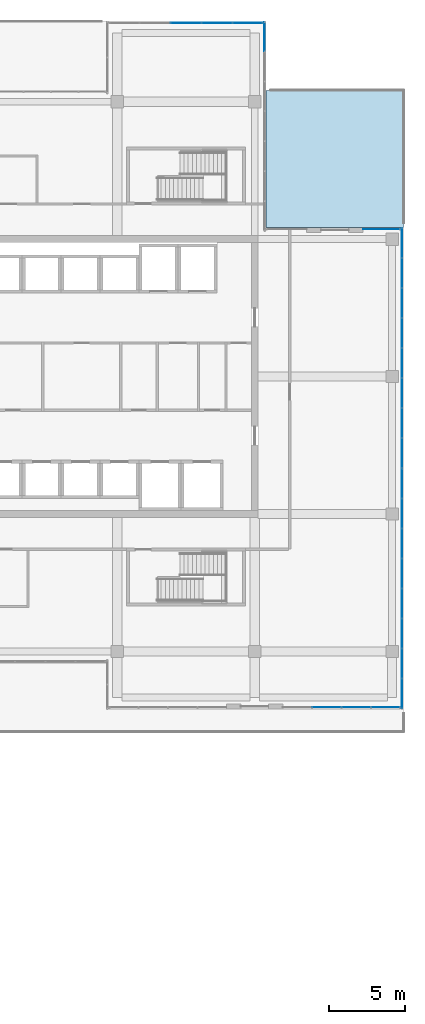
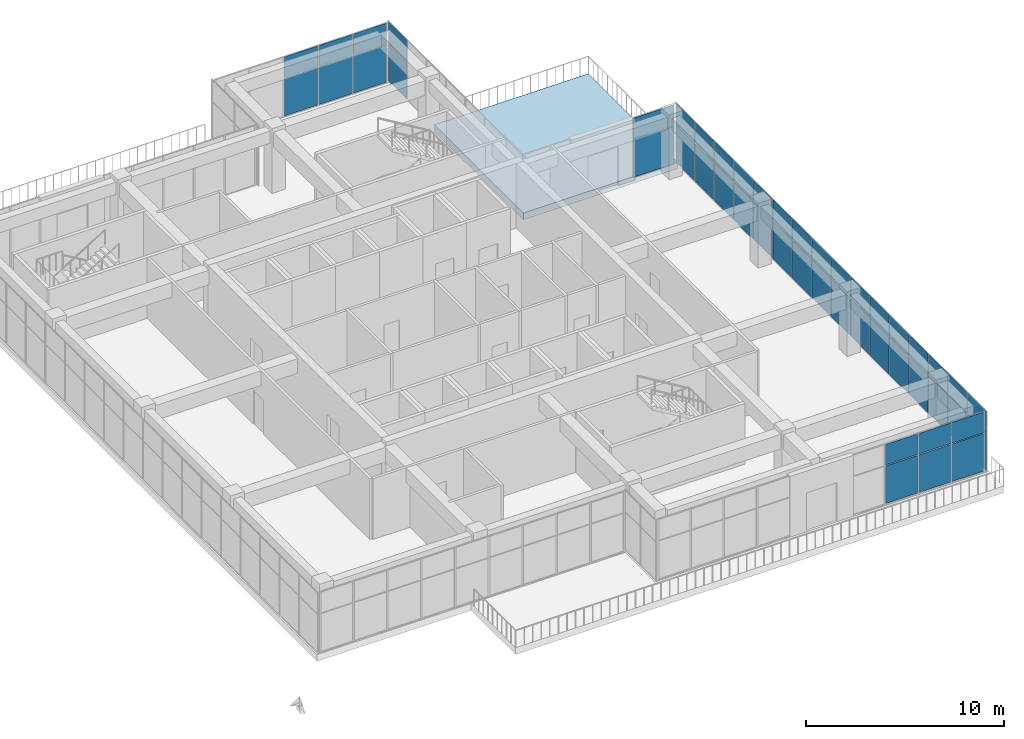
# One storey, part 65 of 81: 48 plates, 1 slab, 5 elements without a shape of their own.
"""IFC4 building model written with IfcOpenShell, lengths in metres."""

from ifc_helpers import new_model, si_unit, direction, frame, origin, origin_2d, place, context, subcontext, project, spatial, polyline, rectangle, outline, extrude, material, layer, layer_set, type_object, element, aggregate, save


model = new_model("IFC4")

# Units and contexts
model_context = context("Model", 3, precision=1e-05, world=origin(), true_north=direction((0.0, 1.0)))
body_context = subcontext(model_context, "Body", "Model", "MODEL_VIEW")
ifc_project = project(units=[si_unit("LENGTHUNIT", "METRE"), si_unit("AREAUNIT", "SQUARE_METRE"), si_unit("VOLUMEUNIT", "CUBIC_METRE"), si_unit("PLANEANGLEUNIT", "RADIAN"), si_unit("MASSUNIT", "GRAM", prefix="KILO")], contexts=[model_context])

# Site, building, storey
site_placement = place(None, origin())
site = spatial("IfcSite", under=ifc_project, at=site_placement, CompositionType="ELEMENT")
building_placement = place(site_placement, origin())
building = spatial("IfcBuilding", under=site, at=building_placement, Name="Tuart Plaza Theatre", CompositionType="ELEMENT")
storey_placement = place(building_placement, frame((0.0, 0.0, 17.5)))
storey = spatial("IfcBuildingStorey", under=building, at=storey_placement, Name="L04", CompositionType="ELEMENT", Elevation=17.5)

# Curtain wall, plates
ifc_material_1 = material(Name="Aluminium and glass", Category="aluminium")
ifc_layer_1 = layer(ifc_material_1, 0.10009765625)
ifc_layer_set_1 = layer_set([ifc_layer_1], Name="CURTAIN WALL 2000 module")
curtain_wall_type = type_object("IfcCurtainWallType", Name="CURTAIN WALL 2000 module", PredefinedType="NOTDEFINED", material=ifc_layer_set_1)
curtain_wall_1_placement = place(storey_placement, origin())
curtain_wall_1 = element("IfcCurtainWall", 1, at=curtain_wall_1_placement, inside=storey, type_object=curtain_wall_type, Name="CW77", PredefinedType="NOTDEFINED")
ifc_material_2 = material(Name="Glass", Category="glass")
ifc_layer_2 = layer(ifc_material_2, 0.028076171875)
ifc_layer_set_2 = layer_set([ifc_layer_2], Name="CURTAIN PANEL double glazed 28")
plate_type = type_object("IfcPlateType", Name="CURTAIN PANEL double glazed 28", PredefinedType="CURTAIN_PANEL", material=ifc_layer_set_2)
plate_1_placement = place(storey_placement, frame((145.706298828125, 52.35009765625, 0.0498046875), z_axis=(0.0, 0.0, 1.0), x_axis=(1.0, 0.0, 0.0)))
plate_1 = element("IfcPlate", 2, at=plate_1_placement, type_object=plate_type, Name="CW77 panel 2.1", PredefinedType="CURTAIN_PANEL", context=body_context, shape_type="SweptSolid", body=[
    extrude(rectangle(XDim=1.887451171875, YDim=0.028076171875, at=origin_2d()), origin(), (0.0, 0.0, 1.0), 2.324951171875),
])
plate_2_placement = place(storey_placement, frame((145.706298828125, 52.35009765625, 2.425048828125), z_axis=(0.0, 0.0, 1.0), x_axis=(1.0, 0.0, 0.0)))
plate_2 = element("IfcPlate", 3, at=plate_2_placement, type_object=plate_type, Name="CW77 panel 2.2", PredefinedType="CURTAIN_PANEL", context=body_context, shape_type="SweptSolid", body=[
    extrude(rectangle(XDim=1.887451171875, YDim=0.028076171875, at=origin_2d()), origin(), (0.0, 0.0, 1.0), 1.27490234375),
])
plate_3_placement = place(storey_placement, frame((147.643798828125, 52.35009765625, 0.0498046875), z_axis=(0.0, 0.0, 1.0), x_axis=(1.0, 0.0, 0.0)))
plate_3 = element("IfcPlate", 4, at=plate_3_placement, type_object=plate_type, Name="CW77 panel 3.1", PredefinedType="CURTAIN_PANEL", context=body_context, shape_type="SweptSolid", body=[
    extrude(rectangle(XDim=1.887451171875, YDim=0.028076171875, at=origin_2d()), origin(), (0.0, 0.0, 1.0), 2.324951171875),
])
plate_4_placement = place(storey_placement, frame((147.643798828125, 52.35009765625, 2.425048828125), z_axis=(0.0, 0.0, 1.0), x_axis=(1.0, 0.0, 0.0)))
plate_4 = element("IfcPlate", 5, at=plate_4_placement, type_object=plate_type, Name="CW77 panel 3.2", PredefinedType="CURTAIN_PANEL", context=body_context, shape_type="SweptSolid", body=[
    extrude(rectangle(XDim=1.887451171875, YDim=0.028076171875, at=origin_2d()), origin(), (0.0, 0.0, 1.0), 1.27490234375),
])
plate_5_placement = place(storey_placement, frame((149.56884765625, 52.35009765625, 0.0498046875), z_axis=(0.0, 0.0, 1.0), x_axis=(1.0, 0.0, 0.0)))
plate_5 = element("IfcPlate", 6, at=plate_5_placement, type_object=plate_type, Name="CW77 panel 4.1", PredefinedType="CURTAIN_PANEL", context=body_context, shape_type="SweptSolid", body=[
    extrude(rectangle(XDim=1.862548828125, YDim=0.028076171875, at=origin_2d()), origin(), (0.0, 0.0, 1.0), 2.324951171875),
])
plate_6_placement = place(storey_placement, frame((149.56884765625, 52.35009765625, 2.425048828125), z_axis=(0.0, 0.0, 1.0), x_axis=(1.0, 0.0, 0.0)))
plate_6 = element("IfcPlate", 7, at=plate_6_placement, type_object=plate_type, Name="CW77 panel 4.2", PredefinedType="CURTAIN_PANEL", context=body_context, shape_type="SweptSolid", body=[
    extrude(rectangle(XDim=1.862548828125, YDim=0.028076171875, at=origin_2d()), origin(), (0.0, 0.0, 1.0), 1.27490234375),
])
aggregate(curtain_wall_1, [plate_1, plate_2, plate_3, plate_4, plate_5, plate_6])

curtain_wall_2_placement = place(storey_placement, origin())
curtain_wall_2 = element("IfcCurtainWall", 8, at=curtain_wall_2_placement, inside=storey, type_object=curtain_wall_type, Name="CW78", PredefinedType="NOTDEFINED")
plate_7_placement = place(storey_placement, frame((150.64990234375, 53.246826171875, 0.0498046875), z_axis=(0.0, 0.0, 1.0), x_axis=(0.0, 1.0, 0.0)))
plate_7 = element("IfcPlate", 9, at=plate_7_placement, type_object=plate_type, Name="CW78 panel 1.1", PredefinedType="CURTAIN_PANEL", context=body_context, shape_type="SweptSolid", body=[
    extrude(rectangle(XDim=1.893798828125, YDim=0.028076171875, at=origin_2d()), origin(), (0.0, 0.0, 1.0), 2.324951171875),
])
plate_8_placement = place(storey_placement, frame((150.64990234375, 53.246826171875, 2.425048828125), z_axis=(0.0, 0.0, 1.0), x_axis=(0.0, 1.0, 0.0)))
plate_8 = element("IfcPlate", 10, at=plate_8_placement, type_object=plate_type, Name="CW78 panel 1.2", PredefinedType="CURTAIN_PANEL", context=body_context, shape_type="SweptSolid", body=[
    extrude(rectangle(XDim=1.893798828125, YDim=0.028076171875, at=origin_2d()), origin(), (0.0, 0.0, 1.0), 1.27490234375),
])
plate_9_placement = place(storey_placement, frame((150.64990234375, 55.203125, 0.0498046875), z_axis=(0.0, 0.0, 1.0), x_axis=(0.0, 1.0, 0.0)))
plate_9 = element("IfcPlate", 11, at=plate_9_placement, type_object=plate_type, Name="CW78 panel 2.1", PredefinedType="CURTAIN_PANEL", context=body_context, shape_type="SweptSolid", body=[
    extrude(rectangle(XDim=1.918701171875, YDim=0.028076171875, at=origin_2d()), origin(), (0.0, 0.0, 1.0), 2.324951171875),
])
plate_10_placement = place(storey_placement, frame((150.64990234375, 55.203125, 2.425048828125), z_axis=(0.0, 0.0, 1.0), x_axis=(0.0, 1.0, 0.0)))
plate_10 = element("IfcPlate", 12, at=plate_10_placement, type_object=plate_type, Name="CW78 panel 2.2", PredefinedType="CURTAIN_PANEL", context=body_context, shape_type="SweptSolid", body=[
    extrude(rectangle(XDim=1.918701171875, YDim=0.028076171875, at=origin_2d()), origin(), (0.0, 0.0, 1.0), 1.27490234375),
])
plate_11_placement = place(storey_placement, frame((150.64990234375, 57.171875, 0.0498046875), z_axis=(0.0, 0.0, 1.0), x_axis=(0.0, 1.0, 0.0)))
plate_11 = element("IfcPlate", 13, at=plate_11_placement, type_object=plate_type, Name="CW78 panel 3.1", PredefinedType="CURTAIN_PANEL", context=body_context, shape_type="SweptSolid", body=[
    extrude(rectangle(XDim=1.918701171875, YDim=0.028076171875, at=origin_2d()), origin(), (0.0, 0.0, 1.0), 2.324951171875),
])
plate_12_placement = place(storey_placement, frame((150.64990234375, 57.171875, 2.425048828125), z_axis=(0.0, 0.0, 1.0), x_axis=(0.0, 1.0, 0.0)))
plate_12 = element("IfcPlate", 14, at=plate_12_placement, type_object=plate_type, Name="CW78 panel 3.2", PredefinedType="CURTAIN_PANEL", context=body_context, shape_type="SweptSolid", body=[
    extrude(rectangle(XDim=1.918701171875, YDim=0.028076171875, at=origin_2d()), origin(), (0.0, 0.0, 1.0), 1.27490234375),
])
plate_13_placement = place(storey_placement, frame((150.64990234375, 59.140625, 0.0498046875), z_axis=(0.0, 0.0, 1.0), x_axis=(0.0, 1.0, 0.0)))
plate_13 = element("IfcPlate", 15, at=plate_13_placement, type_object=plate_type, Name="CW78 panel 4.1", PredefinedType="CURTAIN_PANEL", context=body_context, shape_type="SweptSolid", body=[
    extrude(rectangle(XDim=1.918701171875, YDim=0.028076171875, at=origin_2d()), origin(), (0.0, 0.0, 1.0), 2.324951171875),
])
plate_14_placement = place(storey_placement, frame((150.64990234375, 59.140625, 2.425048828125), z_axis=(0.0, 0.0, 1.0), x_axis=(0.0, 1.0, 0.0)))
plate_14 = element("IfcPlate", 16, at=plate_14_placement, type_object=plate_type, Name="CW78 panel 4.2", PredefinedType="CURTAIN_PANEL", context=body_context, shape_type="SweptSolid", body=[
    extrude(rectangle(XDim=1.918701171875, YDim=0.028076171875, at=origin_2d()), origin(), (0.0, 0.0, 1.0), 1.27490234375),
])
plate_15_placement = place(storey_placement, frame((150.64990234375, 61.109375, 0.0498046875), z_axis=(0.0, 0.0, 1.0), x_axis=(0.0, 1.0, 0.0)))
plate_15 = element("IfcPlate", 17, at=plate_15_placement, type_object=plate_type, Name="CW78 panel 5.1", PredefinedType="CURTAIN_PANEL", context=body_context, shape_type="SweptSolid", body=[
    extrude(rectangle(XDim=1.918701171875, YDim=0.028076171875, at=origin_2d()), origin(), (0.0, 0.0, 1.0), 2.324951171875),
])
plate_16_placement = place(storey_placement, frame((150.64990234375, 61.109375, 2.425048828125), z_axis=(0.0, 0.0, 1.0), x_axis=(0.0, 1.0, 0.0)))
plate_16 = element("IfcPlate", 18, at=plate_16_placement, type_object=plate_type, Name="CW78 panel 5.2", PredefinedType="CURTAIN_PANEL", context=body_context, shape_type="SweptSolid", body=[
    extrude(rectangle(XDim=1.918701171875, YDim=0.028076171875, at=origin_2d()), origin(), (0.0, 0.0, 1.0), 1.27490234375),
])
plate_17_placement = place(storey_placement, frame((150.64990234375, 63.078125, 0.0498046875), z_axis=(0.0, 0.0, 1.0), x_axis=(0.0, 1.0, 0.0)))
plate_17 = element("IfcPlate", 19, at=plate_17_placement, type_object=plate_type, Name="CW78 panel 6.1", PredefinedType="CURTAIN_PANEL", context=body_context, shape_type="SweptSolid", body=[
    extrude(rectangle(XDim=1.918701171875, YDim=0.028076171875, at=origin_2d()), origin(), (0.0, 0.0, 1.0), 2.324951171875),
])
plate_18_placement = place(storey_placement, frame((150.64990234375, 63.078125, 2.425048828125), z_axis=(0.0, 0.0, 1.0), x_axis=(0.0, 1.0, 0.0)))
plate_18 = element("IfcPlate", 20, at=plate_18_placement, type_object=plate_type, Name="CW78 panel 6.2", PredefinedType="CURTAIN_PANEL", context=body_context, shape_type="SweptSolid", body=[
    extrude(rectangle(XDim=1.918701171875, YDim=0.028076171875, at=origin_2d()), origin(), (0.0, 0.0, 1.0), 1.27490234375),
])
plate_19_placement = place(storey_placement, frame((150.64990234375, 65.046875, 0.0498046875), z_axis=(0.0, 0.0, 1.0), x_axis=(0.0, 1.0, 0.0)))
plate_19 = element("IfcPlate", 21, at=plate_19_placement, type_object=plate_type, Name="CW78 panel 7.1", PredefinedType="CURTAIN_PANEL", context=body_context, shape_type="SweptSolid", body=[
    extrude(rectangle(XDim=1.918701171875, YDim=0.028076171875, at=origin_2d()), origin(), (0.0, 0.0, 1.0), 2.324951171875),
])
plate_20_placement = place(storey_placement, frame((150.64990234375, 65.046875, 2.425048828125), z_axis=(0.0, 0.0, 1.0), x_axis=(0.0, 1.0, 0.0)))
plate_20 = element("IfcPlate", 22, at=plate_20_placement, type_object=plate_type, Name="CW78 panel 7.2", PredefinedType="CURTAIN_PANEL", context=body_context, shape_type="SweptSolid", body=[
    extrude(rectangle(XDim=1.918701171875, YDim=0.028076171875, at=origin_2d()), origin(), (0.0, 0.0, 1.0), 1.27490234375),
])
plate_21_placement = place(storey_placement, frame((150.64990234375, 67.015625, 0.0498046875), z_axis=(0.0, 0.0, 1.0), x_axis=(0.0, 1.0, 0.0)))
plate_21 = element("IfcPlate", 23, at=plate_21_placement, type_object=plate_type, Name="CW78 panel 8.1", PredefinedType="CURTAIN_PANEL", context=body_context, shape_type="SweptSolid", body=[
    extrude(rectangle(XDim=1.918701171875, YDim=0.028076171875, at=origin_2d()), origin(), (0.0, 0.0, 1.0), 2.324951171875),
])
plate_22_placement = place(storey_placement, frame((150.64990234375, 67.015625, 2.425048828125), z_axis=(0.0, 0.0, 1.0), x_axis=(0.0, 1.0, 0.0)))
plate_22 = element("IfcPlate", 24, at=plate_22_placement, type_object=plate_type, Name="CW78 panel 8.2", PredefinedType="CURTAIN_PANEL", context=body_context, shape_type="SweptSolid", body=[
    extrude(rectangle(XDim=1.918701171875, YDim=0.028076171875, at=origin_2d()), origin(), (0.0, 0.0, 1.0), 1.27490234375),
])
plate_23_placement = place(storey_placement, frame((150.64990234375, 68.984375, 0.0498046875), z_axis=(0.0, 0.0, 1.0), x_axis=(0.0, 1.0, 0.0)))
plate_23 = element("IfcPlate", 25, at=plate_23_placement, type_object=plate_type, Name="CW78 panel 9.1", PredefinedType="CURTAIN_PANEL", context=body_context, shape_type="SweptSolid", body=[
    extrude(rectangle(XDim=1.918701171875, YDim=0.028076171875, at=origin_2d()), origin(), (0.0, 0.0, 1.0), 2.324951171875),
])
plate_24_placement = place(storey_placement, frame((150.64990234375, 68.984375, 2.425048828125), z_axis=(0.0, 0.0, 1.0), x_axis=(0.0, 1.0, 0.0)))
plate_24 = element("IfcPlate", 26, at=plate_24_placement, type_object=plate_type, Name="CW78 panel 9.2", PredefinedType="CURTAIN_PANEL", context=body_context, shape_type="SweptSolid", body=[
    extrude(rectangle(XDim=1.918701171875, YDim=0.028076171875, at=origin_2d()), origin(), (0.0, 0.0, 1.0), 1.27490234375),
])
plate_25_placement = place(storey_placement, frame((150.64990234375, 70.953125, 0.0498046875), z_axis=(0.0, 0.0, 1.0), x_axis=(0.0, 1.0, 0.0)))
plate_25 = element("IfcPlate", 27, at=plate_25_placement, type_object=plate_type, Name="CW78 panel 10.1", PredefinedType="CURTAIN_PANEL", context=body_context, shape_type="SweptSolid", body=[
    extrude(rectangle(XDim=1.918701171875, YDim=0.028076171875, at=origin_2d()), origin(), (0.0, 0.0, 1.0), 2.324951171875),
])
plate_26_placement = place(storey_placement, frame((150.64990234375, 70.953125, 2.425048828125), z_axis=(0.0, 0.0, 1.0), x_axis=(0.0, 1.0, 0.0)))
plate_26 = element("IfcPlate", 28, at=plate_26_placement, type_object=plate_type, Name="CW78 panel 10.2", PredefinedType="CURTAIN_PANEL", context=body_context, shape_type="SweptSolid", body=[
    extrude(rectangle(XDim=1.918701171875, YDim=0.028076171875, at=origin_2d()), origin(), (0.0, 0.0, 1.0), 1.27490234375),
])
plate_27_placement = place(storey_placement, frame((150.64990234375, 72.921875, 0.0498046875), z_axis=(0.0, 0.0, 1.0), x_axis=(0.0, 1.0, 0.0)))
plate_27 = element("IfcPlate", 29, at=plate_27_placement, type_object=plate_type, Name="CW78 panel 11.1", PredefinedType="CURTAIN_PANEL", context=body_context, shape_type="SweptSolid", body=[
    extrude(rectangle(XDim=1.918701171875, YDim=0.028076171875, at=origin_2d()), origin(), (0.0, 0.0, 1.0), 2.324951171875),
])
plate_28_placement = place(storey_placement, frame((150.64990234375, 72.921875, 2.425048828125), z_axis=(0.0, 0.0, 1.0), x_axis=(0.0, 1.0, 0.0)))
plate_28 = element("IfcPlate", 30, at=plate_28_placement, type_object=plate_type, Name="CW78 panel 11.2", PredefinedType="CURTAIN_PANEL", context=body_context, shape_type="SweptSolid", body=[
    extrude(rectangle(XDim=1.918701171875, YDim=0.028076171875, at=origin_2d()), origin(), (0.0, 0.0, 1.0), 1.27490234375),
])
plate_29_placement = place(storey_placement, frame((150.64990234375, 74.890625, 0.0498046875), z_axis=(0.0, 0.0, 1.0), x_axis=(0.0, 1.0, 0.0)))
plate_29 = element("IfcPlate", 31, at=plate_29_placement, type_object=plate_type, Name="CW78 panel 12.1", PredefinedType="CURTAIN_PANEL", context=body_context, shape_type="SweptSolid", body=[
    extrude(rectangle(XDim=1.918701171875, YDim=0.028076171875, at=origin_2d()), origin(), (0.0, 0.0, 1.0), 2.324951171875),
])
plate_30_placement = place(storey_placement, frame((150.64990234375, 74.890625, 2.425048828125), z_axis=(0.0, 0.0, 1.0), x_axis=(0.0, 1.0, 0.0)))
plate_30 = element("IfcPlate", 32, at=plate_30_placement, type_object=plate_type, Name="CW78 panel 12.2", PredefinedType="CURTAIN_PANEL", context=body_context, shape_type="SweptSolid", body=[
    extrude(rectangle(XDim=1.918701171875, YDim=0.028076171875, at=origin_2d()), origin(), (0.0, 0.0, 1.0), 1.27490234375),
])
plate_31_placement = place(storey_placement, frame((150.64990234375, 76.859375, 0.0498046875), z_axis=(0.0, 0.0, 1.0), x_axis=(0.0, 1.0, 0.0)))
plate_31 = element("IfcPlate", 33, at=plate_31_placement, type_object=plate_type, Name="CW78 panel 13.1", PredefinedType="CURTAIN_PANEL", context=body_context, shape_type="SweptSolid", body=[
    extrude(rectangle(XDim=1.918701171875, YDim=0.028076171875, at=origin_2d()), origin(), (0.0, 0.0, 1.0), 2.324951171875),
])
plate_32_placement = place(storey_placement, frame((150.64990234375, 76.859375, 2.425048828125), z_axis=(0.0, 0.0, 1.0), x_axis=(0.0, 1.0, 0.0)))
plate_32 = element("IfcPlate", 34, at=plate_32_placement, type_object=plate_type, Name="CW78 panel 13.2", PredefinedType="CURTAIN_PANEL", context=body_context, shape_type="SweptSolid", body=[
    extrude(rectangle(XDim=1.918701171875, YDim=0.028076171875, at=origin_2d()), origin(), (0.0, 0.0, 1.0), 1.27490234375),
])
plate_33_placement = place(storey_placement, frame((150.64990234375, 78.828125, 0.0498046875), z_axis=(0.0, 0.0, 1.0), x_axis=(0.0, 1.0, 0.0)))
plate_33 = element("IfcPlate", 35, at=plate_33_placement, type_object=plate_type, Name="CW78 panel 14.1", PredefinedType="CURTAIN_PANEL", context=body_context, shape_type="SweptSolid", body=[
    extrude(rectangle(XDim=1.918701171875, YDim=0.028076171875, at=origin_2d()), origin(), (0.0, 0.0, 1.0), 2.324951171875),
])
plate_34_placement = place(storey_placement, frame((150.64990234375, 78.828125, 2.425048828125), z_axis=(0.0, 0.0, 1.0), x_axis=(0.0, 1.0, 0.0)))
plate_34 = element("IfcPlate", 36, at=plate_34_placement, type_object=plate_type, Name="CW78 panel 14.2", PredefinedType="CURTAIN_PANEL", context=body_context, shape_type="SweptSolid", body=[
    extrude(rectangle(XDim=1.918701171875, YDim=0.028076171875, at=origin_2d()), origin(), (0.0, 0.0, 1.0), 1.27490234375),
])
plate_35_placement = place(storey_placement, frame((150.64990234375, 80.796875, 0.0498046875), z_axis=(0.0, 0.0, 1.0), x_axis=(0.0, 1.0, 0.0)))
plate_35 = element("IfcPlate", 37, at=plate_35_placement, type_object=plate_type, Name="CW78 panel 15.1", PredefinedType="CURTAIN_PANEL", context=body_context, shape_type="SweptSolid", body=[
    extrude(rectangle(XDim=1.918701171875, YDim=0.028076171875, at=origin_2d()), origin(), (0.0, 0.0, 1.0), 2.324951171875),
])
plate_36_placement = place(storey_placement, frame((150.64990234375, 80.796875, 2.425048828125), z_axis=(0.0, 0.0, 1.0), x_axis=(0.0, 1.0, 0.0)))
plate_36 = element("IfcPlate", 38, at=plate_36_placement, type_object=plate_type, Name="CW78 panel 15.2", PredefinedType="CURTAIN_PANEL", context=body_context, shape_type="SweptSolid", body=[
    extrude(rectangle(XDim=1.918701171875, YDim=0.028076171875, at=origin_2d()), origin(), (0.0, 0.0, 1.0), 1.27490234375),
])
plate_37_placement = place(storey_placement, frame((150.64990234375, 82.753173828125, 0.0498046875), z_axis=(0.0, 0.0, 1.0), x_axis=(0.0, 1.0, 0.0)))
plate_37 = element("IfcPlate", 39, at=plate_37_placement, type_object=plate_type, Name="CW78 panel 16.1", PredefinedType="CURTAIN_PANEL", context=body_context, shape_type="SweptSolid", body=[
    extrude(rectangle(XDim=1.893798828125, YDim=0.028076171875, at=origin_2d()), origin(), (0.0, 0.0, 1.0), 2.324951171875),
])
plate_38_placement = place(storey_placement, frame((150.64990234375, 82.753173828125, 2.425048828125), z_axis=(0.0, 0.0, 1.0), x_axis=(0.0, 1.0, 0.0)))
plate_38 = element("IfcPlate", 40, at=plate_38_placement, type_object=plate_type, Name="CW78 panel 16.2", PredefinedType="CURTAIN_PANEL", context=body_context, shape_type="SweptSolid", body=[
    extrude(rectangle(XDim=1.893798828125, YDim=0.028076171875, at=origin_2d()), origin(), (0.0, 0.0, 1.0), 1.27490234375),
])
aggregate(curtain_wall_2, [plate_7, plate_8, plate_9, plate_10, plate_11, plate_12, plate_13, plate_14, plate_15, plate_16, plate_17, plate_18, plate_19, plate_20, plate_21, plate_22, plate_23, plate_24, plate_25, plate_26, plate_27, plate_28, plate_29, plate_30, plate_31, plate_32, plate_33, plate_34, plate_35, plate_36, plate_37, plate_38])

curtain_wall_3_placement = place(storey_placement, origin())
curtain_wall_3 = element("IfcCurtainWall", 41, at=curtain_wall_3_placement, inside=storey, type_object=curtain_wall_type, Name="CW79", PredefinedType="NOTDEFINED")
plate_39_placement = place(storey_placement, frame((149.300048828125, 83.64990234375, 0.0498046875), z_axis=(0.0, 0.0, 1.0), x_axis=(-1.0, 0.0, 0.0)))
plate_39 = element("IfcPlate", 42, at=plate_39_placement, type_object=plate_type, Name="CW79 panel 1.1", PredefinedType="CURTAIN_PANEL", context=body_context, shape_type="SweptSolid", body=[
    extrude(rectangle(XDim=2.39990234375, YDim=0.028076171875, at=origin_2d()), origin(), (0.0, 0.0, 1.0), 2.324951171875),
])
plate_40_placement = place(storey_placement, frame((149.300048828125, 83.64990234375, 2.425048828125), z_axis=(0.0, 0.0, 1.0), x_axis=(-1.0, 0.0, 0.0)))
plate_40 = element("IfcPlate", 43, at=plate_40_placement, type_object=plate_type, Name="CW79 panel 1.2", PredefinedType="CURTAIN_PANEL", context=body_context, shape_type="SweptSolid", body=[
    extrude(rectangle(XDim=2.39990234375, YDim=0.028076171875, at=origin_2d()), origin(), (0.0, 0.0, 1.0), 1.27490234375),
])
aggregate(curtain_wall_3, [plate_39, plate_40])

curtain_wall_4_placement = place(storey_placement, origin())
curtain_wall_4 = element("IfcCurtainWall", 44, at=curtain_wall_4_placement, inside=storey, type_object=curtain_wall_type, Name="CW81", PredefinedType="NOTDEFINED")
plate_41_placement = place(storey_placement, frame((141.64990234375, 96.259033203125, 0.0498046875), z_axis=(0.0, 0.0, 1.0), x_axis=(0.0, 1.0, 0.0)))
plate_41 = element("IfcPlate", 45, at=plate_41_placement, type_object=plate_type, Name="CW81 panel 7.1", PredefinedType="CURTAIN_PANEL", context=body_context, shape_type="SweptSolid", body=[
    extrude(rectangle(XDim=1.882080078125, YDim=0.028076171875, at=origin_2d()), origin(), (0.0, 0.0, 1.0), 2.324951171875),
])
plate_42_placement = place(storey_placement, frame((141.64990234375, 96.259033203125, 2.425048828125), z_axis=(0.0, 0.0, 1.0), x_axis=(0.0, 1.0, 0.0)))
plate_42 = element("IfcPlate", 46, at=plate_42_placement, type_object=plate_type, Name="CW81 panel 7.2", PredefinedType="CURTAIN_PANEL", context=body_context, shape_type="SweptSolid", body=[
    extrude(rectangle(XDim=1.882080078125, YDim=0.028076171875, at=origin_2d()), origin(), (0.0, 0.0, 1.0), 1.27490234375),
])
aggregate(curtain_wall_4, [plate_41, plate_42])

curtain_wall_5_placement = place(storey_placement, origin())
curtain_wall_5 = element("IfcCurtainWall", 47, at=curtain_wall_5_placement, inside=storey, type_object=curtain_wall_type, Name="CW82", PredefinedType="NOTDEFINED")
plate_43_placement = place(storey_placement, frame((140.527587890625, 97.14990234375, 0.0498046875), z_axis=(0.0, 0.0, 1.0), x_axis=(-1.0, 0.0, 0.0)))
plate_43 = element("IfcPlate", 48, at=plate_43_placement, type_object=plate_type, Name="CW82 panel 1.1", PredefinedType="CURTAIN_PANEL", context=body_context, shape_type="SweptSolid", body=[
    extrude(rectangle(XDim=1.945068359375, YDim=0.028076171875, at=origin_2d()), origin(), (0.0, 0.0, 1.0), 2.324951171875),
])
plate_44_placement = place(storey_placement, frame((140.527587890625, 97.14990234375, 2.425048828125), z_axis=(0.0, 0.0, 1.0), x_axis=(-1.0, 0.0, 0.0)))
plate_44 = element("IfcPlate", 49, at=plate_44_placement, type_object=plate_type, Name="CW82 panel 1.2", PredefinedType="CURTAIN_PANEL", context=body_context, shape_type="SweptSolid", body=[
    extrude(rectangle(XDim=1.945068359375, YDim=0.028076171875, at=origin_2d()), origin(), (0.0, 0.0, 1.0), 1.27490234375),
])
plate_45_placement = place(storey_placement, frame((138.52001953125, 97.14990234375, 0.0498046875), z_axis=(0.0, 0.0, 1.0), x_axis=(-1.0, 0.0, 0.0)))
plate_45 = element("IfcPlate", 50, at=plate_45_placement, type_object=plate_type, Name="CW82 panel 2.1", PredefinedType="CURTAIN_PANEL", context=body_context, shape_type="SweptSolid", body=[
    extrude(rectangle(XDim=1.969970703125, YDim=0.028076171875, at=origin_2d()), origin(), (0.0, 0.0, 1.0), 2.324951171875),
])
plate_46_placement = place(storey_placement, frame((138.52001953125, 97.14990234375, 2.425048828125), z_axis=(0.0, 0.0, 1.0), x_axis=(-1.0, 0.0, 0.0)))
plate_46 = element("IfcPlate", 51, at=plate_46_placement, type_object=plate_type, Name="CW82 panel 2.2", PredefinedType="CURTAIN_PANEL", context=body_context, shape_type="SweptSolid", body=[
    extrude(rectangle(XDim=1.969970703125, YDim=0.028076171875, at=origin_2d()), origin(), (0.0, 0.0, 1.0), 1.27490234375),
])
plate_47_placement = place(storey_placement, frame((136.5, 97.14990234375, 0.0498046875), z_axis=(0.0, 0.0, 1.0), x_axis=(-1.0, 0.0, 0.0)))
plate_47 = element("IfcPlate", 52, at=plate_47_placement, type_object=plate_type, Name="CW82 panel 3.1", PredefinedType="CURTAIN_PANEL", context=body_context, shape_type="SweptSolid", body=[
    extrude(rectangle(XDim=1.969970703125, YDim=0.028076171875, at=origin_2d()), origin(), (0.0, 0.0, 1.0), 2.324951171875),
])
plate_48_placement = place(storey_placement, frame((136.5, 97.14990234375, 2.425048828125), z_axis=(0.0, 0.0, 1.0), x_axis=(-1.0, 0.0, 0.0)))
plate_48 = element("IfcPlate", 53, at=plate_48_placement, type_object=plate_type, Name="CW82 panel 3.2", PredefinedType="CURTAIN_PANEL", context=body_context, shape_type="SweptSolid", body=[
    extrude(rectangle(XDim=1.969970703125, YDim=0.028076171875, at=origin_2d()), origin(), (0.0, 0.0, 1.0), 1.27490234375),
])
aggregate(curtain_wall_5, [plate_43, plate_44, plate_45, plate_46, plate_47, plate_48])

# Slab
ifc_material_3 = material(Name="Concrete N40 (40 MPa)", Category="concrete")
ifc_layer_3 = layer(ifc_material_3, 0.419921875)
ifc_layer_set_3 = layer_set([ifc_layer_3], Name="SLAB Floor 420 Concrete N40 (40 MPa)")
slab_type = type_object("IfcSlabType", Name="SLAB Floor 420 Concrete N40 (40 MPa)", PredefinedType="FLOOR", material=ifc_layer_set_3)
slab_placement = place(storey_placement, frame((0.0, 0.0, -0.419921875)))
element("IfcSlab", 54, at=slab_placement, inside=storey, type_object=slab_type, Name="S89", PredefinedType="FLOOR", context=body_context, shape_type="SweptSolid", body=[
    extrude(outline(polyline([(141.75, 92.75), (141.75, 83.75), (150.75, 83.75), (150.75, 92.75), (141.75, 92.75)])), origin(), (0.0, 0.0, 1.0), 0.419921875),
])

save(model, "model.ifc")
